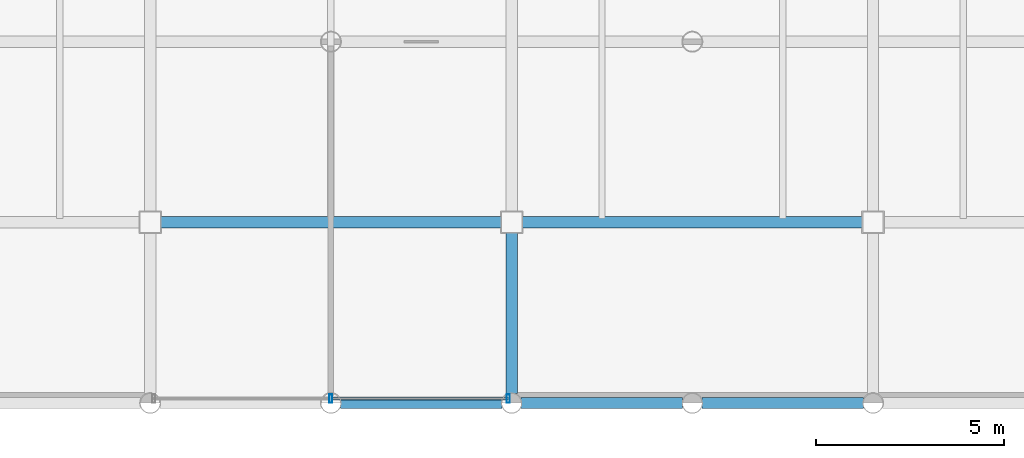
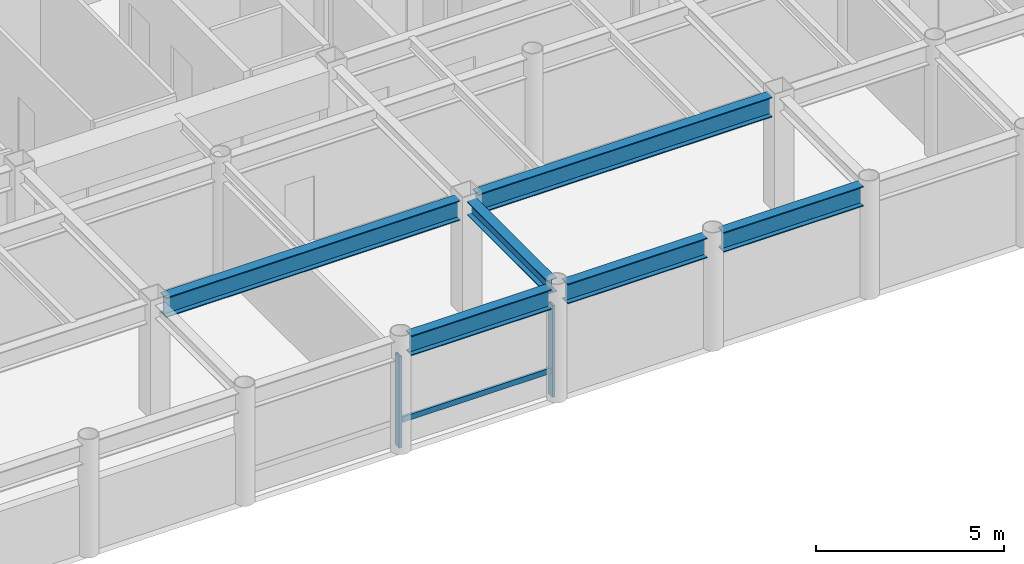
# One storey, part 8 of 21: 6 beams, 3 members, 1 element without a shape of its own.
"""IFC4 building model written with IfcOpenShell, lengths in metres."""

from ifc_helpers import new_model, si_unit, direction, frame, origin, origin_2d, place, context, subcontext, project, spatial, hollow_rectangle, i_section, extrude, material, layer, layer_set, material_profile, profile_set, type_object, element, aggregate, save


model = new_model("IFC4")

# Units and contexts
model_context = context("Model", 3, precision=1e-05, world=origin(), true_north=direction((0.0, 1.0)))
body_context = subcontext(model_context, "Body", "Model", "MODEL_VIEW")
ifc_project = project(units=[si_unit("LENGTHUNIT", "METRE"), si_unit("AREAUNIT", "SQUARE_METRE"), si_unit("VOLUMEUNIT", "CUBIC_METRE"), si_unit("PLANEANGLEUNIT", "RADIAN"), si_unit("MASSUNIT", "GRAM", prefix="KILO")], contexts=[model_context])

# Site, building, storey
site_placement = place(None, origin())
site = spatial("IfcSite", under=ifc_project, at=site_placement, CompositionType="ELEMENT")
building_placement = place(site_placement, origin())
building = spatial("IfcBuilding", under=site, at=building_placement, Name="Kallvorn Hotel Tower", CompositionType="ELEMENT")
storey_placement = place(building_placement, frame((0.0, 0.0, 268.5)))
storey = spatial("IfcBuildingStorey", under=building, at=storey_placement, Name="L67", CompositionType="ELEMENT", Elevation=268.5)

# Beams
ifc_material_1 = material(Name="Structural steel S355JR", Category="steel")
ifc_material_profile_1 = material_profile(ifc_material_1, i_section(OverallWidth=0.300048828125, OverallDepth=0.43994140625, WebThickness=0.011474609375, FlangeThickness=0.02099609375, at=origin_2d()), Name="HE 450 A")
ifc_profile_set_1 = profile_set([ifc_material_profile_1], Name="Structural steel S355JR")
beam_type_1 = type_object("IfcBeamType", Name="BM_HE450A", PredefinedType="BEAM", material=ifc_profile_set_1)
beam_1_placement = place(storey_placement, frame((4.800048828125, -18.945556640625, 3.449951171875), z_axis=(0.0, 1.0, 0.0), x_axis=(-1.0, 0.0, 0.0)))
element("IfcBeam", 1, at=beam_1_placement, inside=storey, type_object=beam_type_1, Name="L68 Primary Y-Girder 114", PredefinedType="BEAM", context=body_context, shape_type="SweptSolid", body=[
    extrude(i_section(OverallWidth=0.300048828125, OverallDepth=0.43994140625, WebThickness=0.011474609375, FlangeThickness=0.02099609375, at=origin_2d()), origin(), (0.0, 0.0, 1.0), 4.2705078125),
])
ifc_material_2 = material(Name="Structural steel S355JR", Category="steel")
ifc_material_profile_2 = material_profile(ifc_material_2, i_section(OverallWidth=0.300048828125, OverallDepth=0.64990234375, WebThickness=0.01611328125, FlangeThickness=0.031005859375, at=origin_2d()), Name="HE 650 B")
ifc_profile_set_2 = profile_set([ifc_material_profile_2], Name="Structural steel S355JR")
beam_type_2 = type_object("IfcBeamType", Name="BM_HE650B", PredefinedType="BEAM", material=ifc_profile_set_2)
for number, where, z_axis, x_axis, name in (
    (2, (0.25439453125, -19.199951171875, 3.344970703125), (1.0, 0.0, 0.0), (0.0, 1.0, 0.0), "L68 Primary X-Girder 07"),
    (3, (5.054443359375, -19.199951171875, 3.344970703125), (1.0, 0.0, 0.0), (0.0, 1.0, 0.0), "L68 Primary X-Girder 08"),
    (4, (9.8544921875, -19.199951171875, 3.344970703125), (1.0, 0.0, 0.0), (0.0, 1.0, 0.0), "L68 Primary X-Girder 09"),
):
    element("IfcBeam", number, at=place(storey_placement, frame(where, z_axis=z_axis, x_axis=x_axis)), inside=storey, type_object=beam_type_2, Name=name, PredefinedType="BEAM", context=body_context, shape_type="SweptSolid", body=[
        extrude(i_section(OverallWidth=0.300048828125, OverallDepth=0.64990234375, WebThickness=0.01611328125, FlangeThickness=0.031005859375, at=origin_2d()), origin(), (0.0, 0.0, 1.0), 4.291015625),
    ])
beam_2_placement = place(storey_placement, frame((-4.52490234375, -14.39990234375, 3.344970703125), z_axis=(1.0, 0.0, 0.0), x_axis=(0.0, 1.0, 0.0)))
element("IfcBeam", 5, at=beam_2_placement, inside=storey, type_object=beam_type_2, Name="L68 Primary X-Girder 18", PredefinedType="BEAM", context=body_context, shape_type="SweptSolid", body=[
    extrude(i_section(OverallWidth=0.300048828125, OverallDepth=0.64990234375, WebThickness=0.01611328125, FlangeThickness=0.031005859375, at=origin_2d()), origin(), (0.0, 0.0, 1.0), 9.0498046875),
])
beam_3_placement = place(storey_placement, frame((5.074951171875, -14.39990234375, 3.344970703125), z_axis=(1.0, 0.0, 0.0), x_axis=(0.0, 1.0, 0.0)))
element("IfcBeam", 6, at=beam_3_placement, inside=storey, type_object=beam_type_2, Name="L68 Primary X-Girder 19", PredefinedType="BEAM", context=body_context, shape_type="SweptSolid", body=[
    extrude(i_section(OverallWidth=0.300048828125, OverallDepth=0.64990234375, WebThickness=0.01611328125, FlangeThickness=0.031005859375, at=origin_2d()), origin(), (0.0, 0.0, 1.0), 9.050048828125),
])

# Curtain wall, members
ifc_material_3 = material(Name="Thermally broken black-anodised aluminium AA 6063-T6", Category="aluminium")
ifc_layer = layer(ifc_material_3, 0.22998046875)
ifc_layer_set = layer_set([ifc_layer], Name="CW_SYS_5_HOTEL_HIGH")
curtain_wall_type = type_object("IfcCurtainWallType", Name="CW_SYS_5_HOTEL_HIGH", PredefinedType="USERDEFINED", material=ifc_layer_set)
curtain_wall_placement = place(storey_placement, origin())
curtain_wall = element("IfcCurtainWall", 7, at=curtain_wall_placement, inside=storey, type_object=curtain_wall_type, Name="L67 Dark-Glass Curtain Wall CW-L67-SC", ObjectType="UNITISED CURTAIN WALL", PredefinedType="USERDEFINED")
ifc_material_4 = material(Name="Thermally broken black-anodised aluminium AA 6063-T6", Category="aluminium")
ifc_material_profile_3 = material_profile(ifc_material_4, hollow_rectangle(XDim=0.080078125, YDim=0.219970703125, WallThickness=0.0048828125, at=origin_2d()), Name="MUL 220x80")
ifc_profile_set_3 = profile_set([ifc_material_profile_3], Name="Thermally broken black-anodised aluminium AA 6063-T6")
member_type_1 = type_object("IfcMemberType", Name="CW_MULLION_220x80", PredefinedType="MULLION", material=ifc_profile_set_3)
member_1_placement = place(storey_placement, frame((0.0, -19.080078125, 0.02001953125), z_axis=(0.0, 0.0, 1.0), x_axis=(1.0, 0.0, 0.0)))
member_1 = element("IfcMember", 8, at=member_1_placement, type_object=member_type_1, Name="CW-L67-SC Mullion 01", PredefinedType="MULLION", context=body_context, shape_type="SweptSolid", body=[
    extrude(hollow_rectangle(XDim=0.080078125, YDim=0.219970703125, WallThickness=0.0048828125, at=origin_2d()), origin(), (0.0, 0.0, 1.0), 2.97998046875),
])
member_2_placement = place(storey_placement, frame((4.7099609375, -19.080078125, 0.02001953125), z_axis=(0.0, 0.0, 1.0), x_axis=(1.0, 0.0, 0.0)))
member_2 = element("IfcMember", 9, at=member_2_placement, type_object=member_type_1, Name="CW-L67-SC Mullion 02", PredefinedType="MULLION", context=body_context, shape_type="SweptSolid", body=[
    extrude(hollow_rectangle(XDim=0.080078125, YDim=0.219970703125, WallThickness=0.0048828125, at=origin_2d()), origin(), (0.0, 0.0, 1.0), 2.97998046875),
])
ifc_material_5 = material(Name="Thermally broken black-anodised aluminium AA 6063-T6", Category="aluminium")
ifc_material_profile_4 = material_profile(ifc_material_5, hollow_rectangle(XDim=0.070068359375, YDim=0.179931640625, WallThickness=0.00390625, at=origin_2d()), Name="TRN 180x70")
ifc_profile_set_4 = profile_set([ifc_material_profile_4], Name="Thermally broken black-anodised aluminium AA 6063-T6")
member_type_2 = type_object("IfcMemberType", Name="CW_TRANSOM_180x70", PredefinedType="USERDEFINED", material=ifc_profile_set_4)
member_3_placement = place(storey_placement, frame((0.0400390625, -19.080078125, 0.85009765625), z_axis=(1.0, 0.0, 0.0), x_axis=(0.0, 1.0, 0.0)))
member_3 = element("IfcMember", 10, at=member_3_placement, type_object=member_type_2, Name="CW-L67-SC Transom 01M", ObjectType="TRANSOM", PredefinedType="USERDEFINED", context=body_context, shape_type="SweptSolid", body=[
    extrude(hollow_rectangle(XDim=0.070068359375, YDim=0.179931640625, WallThickness=0.00390625, at=origin_2d()), origin(), (0.0, 0.0, 1.0), 4.669921875),
])
aggregate(curtain_wall, [member_1, member_2, member_3])

save(model, "model.ifc")
